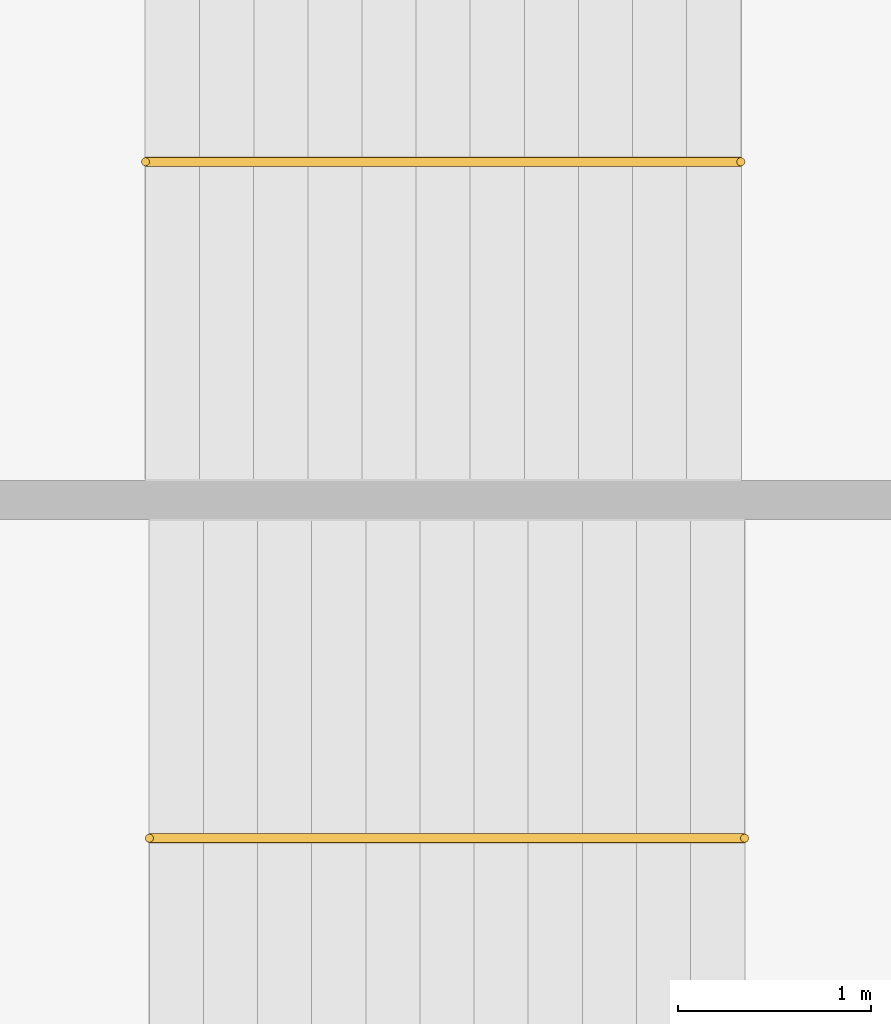
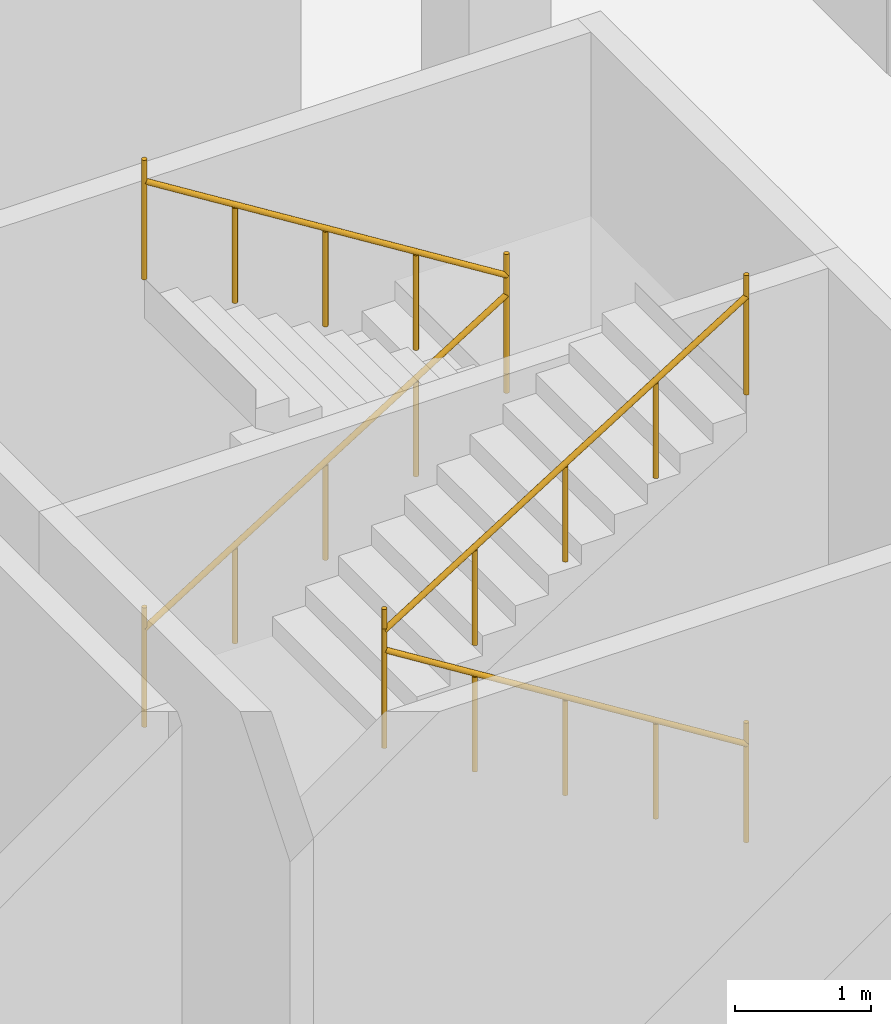
# One storey, part 5 of 5: 4 railings.
"""IFC4 building model written with IfcOpenShell, lengths in metres."""

import ifcopenshell
import ifcopenshell.guid

model = None  # the IFC model being written
_history = None  # IfcOwnerHistory: only IFC2X3 demands one
_inside = {}  # id of a spatial element -> (the spatial element, [elements in it])
_under = {}  # id of a project, library or spatial element -> (it, [spatial elements below it])
_declared = {}  # id of a project -> (the project, [libraries it declares])
_typed = {}  # id of a type object -> (the type object, [elements of that type])
_made_of = {}  # id of a material, layer set ... -> (it, [elements and type objects made of it])


def new_model(schema):
    """Start an empty IFC model of exactly this schema.

    Asked for "IFC4X3", IfcOpenShell would pick the latest addendum, in which some entities
    have other attributes; the version numbers below select the first issue.
    IFC2X3 requires an IfcOwnerHistory on every rooted entity: one is made here for all.
    """
    global model, _history
    if schema == "IFC4X3":
        model = ifcopenshell.file(schema_version=(4, 3, 0, 0))
    else:
        model = ifcopenshell.file(schema=schema)
    _inside.clear()
    _under.clear()
    _declared.clear()
    _typed.clear()
    _made_of.clear()
    _history = None
    if model.schema == "IFC2X3":
        org = make("IfcOrganization", Name="unknown")
        user = make(
            "IfcPersonAndOrganization",
            ThePerson=make("IfcPerson", FamilyName="unknown"),
            TheOrganization=org,
        )
        app = make(
            "IfcApplication",
            ApplicationDeveloper=org,
            Version="unknown",
            ApplicationFullName="unknown",
            ApplicationIdentifier="unknown",
        )
        _history = make(
            "IfcOwnerHistory",
            OwningUser=user,
            OwningApplication=app,
            ChangeAction="ADDED",
            CreationDate=0,
        )
    return model


def make(cls, **values):
    """One entity of the class cls with the attributes given. An attribute that is None is left unset."""
    return model.create_entity(
        cls, **{name: value for name, value in values.items() if value is not None}
    )


def rooted(cls, **values):
    """An entity with a GlobalId (a new one), such as an element, a storey or a relation."""
    return make(cls, GlobalId=ifcopenshell.guid.new(), OwnerHistory=_history, **values)


def si_unit(unit_type, name, prefix=None):
    """IfcSIUnit, for example si_unit("LENGTHUNIT", "METRE", prefix="MILLI")."""
    return make("IfcSIUnit", UnitType=unit_type, Prefix=prefix, Name=name)


def assignment(units):
    """IfcUnitAssignment: the units of a project."""
    return None if units is None else make("IfcUnitAssignment", Units=units)


def point(xyz):
    """IfcCartesianPoint."""
    return None if xyz is None else make("IfcCartesianPoint", Coordinates=xyz)


def direction(xyz):
    """IfcDirection."""
    return None if xyz is None else make("IfcDirection", DirectionRatios=xyz)


def frame(location, z_axis=None, x_axis=None):
    """IfcAxis2Placement3D, a coordinate frame: its origin and axes. An axis left out is left unset."""
    return make(
        "IfcAxis2Placement3D",
        Location=point(location),
        Axis=direction(z_axis),
        RefDirection=direction(x_axis),
    )


def frame_2d(location, x_axis=None):
    """IfcAxis2Placement2D, a coordinate frame in the plane: its origin and x axis."""
    return make(
        "IfcAxis2Placement2D", Location=point(location), RefDirection=direction(x_axis)
    )


def origin():
    """The frame at (0, 0, 0) with its axes left unset."""
    return frame((0.0, 0.0, 0.0))


def origin_2d():
    """The frame at (0, 0) in the plane with its x axis left unset."""
    return frame_2d((0.0, 0.0))


def place(relative_to, where):
    """IfcLocalPlacement: puts the frame where relative to a parent placement (None: the world)."""
    return make(
        "IfcLocalPlacement", PlacementRelTo=relative_to, RelativePlacement=where
    )


def context(
    kind, dimensions, precision=None, world=None, true_north=None, identifier=None
):
    """IfcGeometricRepresentationContext, for example the 3D "Model" context."""
    return make(
        "IfcGeometricRepresentationContext",
        ContextIdentifier=identifier,
        ContextType=kind,
        CoordinateSpaceDimension=dimensions,
        Precision=precision,
        WorldCoordinateSystem=world,
        TrueNorth=true_north,
    )


def subcontext(parent, identifier, kind, view, scale=None):
    """IfcGeometricRepresentationSubContext, for example "Body" below "Model"."""
    return make(
        "IfcGeometricRepresentationSubContext",
        ContextIdentifier=identifier,
        ContextType=kind,
        ParentContext=parent,
        TargetScale=scale,
        TargetView=view,
    )


def project(units=None, contexts=None):
    """IfcProject with its units and contexts."""
    return rooted(
        "IfcProject",
        Name="project",
        RepresentationContexts=contexts,
        UnitsInContext=assignment(units),
    )


def spatial(cls, under=None, at=None, **own):
    """A site, building, storey or space (cls), placed at a placement, below another one or the project."""
    s = rooted(cls, ObjectPlacement=at, **own)
    if under is not None:
        _under.setdefault(under.id(), (under, []))[1].append(s)
    return s


def profile(cls, at=None, kind="AREA", **sizes):
    """A parametric profile (cls). Its sizes go by their IFC names, for example OverallWidth=200.0."""
    return make(cls, ProfileType=kind, Position=at, **sizes)


def circle(**sizes):
    """IfcCircleProfileDef."""
    return profile("IfcCircleProfileDef", **sizes)


def extrude(swept, where, along, depth):
    """IfcExtrudedAreaSolid: the profile swept, set in the frame where, extruded along a direction by depth."""
    return make(
        "IfcExtrudedAreaSolid",
        SweptArea=swept,
        Position=where,
        ExtrudedDirection=direction(along),
        Depth=depth,
    )


def shape(context_of_items, identifier, shape_type, items):
    """IfcShapeRepresentation: the items that make up one representation, for example the "Body"."""
    return make(
        "IfcShapeRepresentation",
        ContextOfItems=context_of_items,
        RepresentationIdentifier=identifier,
        RepresentationType=shape_type,
        Items=items,
    )


def material(Name=None, Category=None):
    """IfcMaterial."""
    return make("IfcMaterial", Name=Name, Category=Category)


def made_of(thing, what):
    """Note that an element or type object is made of a material, layer set ...; save() writes the relation."""
    if what is not None:
        _made_of.setdefault(what.id(), (what, []))[1].append(thing)
    return thing


def type_object(cls, material=None, **own):
    """A type object (cls), such as IfcWallType, which elements share."""
    return made_of(rooted(cls, **own), material)


def element(
    cls,
    number,
    at=None,
    inside=None,
    cuts=None,
    type_object=None,
    material=None,
    context=None,
    identifier="Body",
    shape_type=None,
    held_by="IfcProductDefinitionShape",
    body=None,
    shapes=None,
    **own,
):
    """One element of the class cls, such as IfcWall. Its Tag is "e" and its number.

    at: its placement. inside: the storey or other place that contains it. cuts: it is an
    opening in that element (IfcRelVoidsElement). A single representation is given by context,
    identifier, shape_type and body (its items); several are given by shapes. held_by: the class
    of the entity that holds the representations. save() writes the other relations.
    """
    e = rooted(cls, Tag="e%d" % number, ObjectPlacement=at, **own)
    if body is not None:
        shapes = [shape(context, identifier, shape_type, body)]
    if shapes is not None:
        e.Representation = make(held_by, Representations=shapes)
    if inside is not None:
        _inside.setdefault(inside.id(), (inside, []))[1].append(e)
    if cuts is not None:
        rooted(
            "IfcRelVoidsElement", RelatingBuildingElement=cuts, RelatedOpeningElement=e
        )
    if type_object is not None:
        _typed.setdefault(type_object.id(), (type_object, []))[1].append(e)
    return made_of(e, material)


def aggregate(whole, parts):
    """IfcRelAggregates: a whole, such as a stair, and the parts it consists of."""
    return rooted("IfcRelAggregates", RelatingObject=whole, RelatedObjects=parts)


def save(model, path):
    """Write the relations noted so far, then the file.

    IfcRelAggregates (storeys below a building ...), IfcRelContainedInSpatialStructure (elements
    in a storey), IfcRelDefinesByType, IfcRelAssociatesMaterial and IfcRelDeclares: one each for
    every whole, place, type object, material and project.
    """
    for whole, parts in _under.values():
        aggregate(whole, parts)
    for where, things in _inside.values():
        rooted(
            "IfcRelContainedInSpatialStructure",
            RelatedElements=things,
            RelatingStructure=where,
        )
    for kind, things in _typed.values():
        rooted("IfcRelDefinesByType", RelatedObjects=things, RelatingType=kind)
    for what, things in _made_of.values():
        rooted("IfcRelAssociatesMaterial", RelatedObjects=things, RelatingMaterial=what)
    for by, libraries in _declared.values():
        rooted("IfcRelDeclares", RelatingContext=by, RelatedDefinitions=libraries)
    model.write(path)


model = new_model("IFC4")

# Units and contexts
model_context = context("Model", 3, precision=1e-05, world=origin(), true_north=direction((0.0, 1.0)))
body_context = subcontext(model_context, "Body", "Model", "MODEL_VIEW")
ifc_project = project(units=[si_unit("LENGTHUNIT", "METRE"), si_unit("AREAUNIT", "SQUARE_METRE"), si_unit("VOLUMEUNIT", "CUBIC_METRE"), si_unit("PLANEANGLEUNIT", "RADIAN"), si_unit("MASSUNIT", "GRAM", prefix="KILO")], contexts=[model_context])

# Site, building, storey
site_placement = place(None, origin())
site = spatial("IfcSite", under=ifc_project, at=site_placement, CompositionType="ELEMENT")
building_placement = place(site_placement, origin())
building = spatial("IfcBuilding", under=site, at=building_placement, Name="Qaws Garden Tower", CompositionType="ELEMENT")
storey_placement = place(building_placement, frame((0.0, 0.0, 369.60009765625)))
storey = spatial("IfcBuildingStorey", under=building, at=storey_placement, Name="C2", CompositionType="ELEMENT", Elevation=369.60009765625)

# Railings
ifc_material = material(Name="Steel S355", Category="steel")
railing_type = type_object("IfcRailingType", Name="Stair handrail 900", PredefinedType="HANDRAIL", material=ifc_material)
railing_1_placement = place(storey_placement, frame((17.449951171875, 31.75, 0.1748046875)))
element("IfcRailing", 1, at=railing_1_placement, inside=storey, type_object=railing_type, Name="Stair 1 handrail", PredefinedType="HANDRAIL", context=body_context, shape_type="SweptSolid", body=[
    extrude(circle(Radius=0.02392578125, at=origin_2d()), frame((0.0, 0.0, 0.8759765625), z_axis=(-0.847979421464, 0.0, 0.530029150871), x_axis=(0.0, -1.0, 0.0)), (0.0, 0.0, 1.0), 3.632080078125),
    extrude(circle(Radius=0.02099609375, at=origin_2d()), origin(), (0.0, 0.0, 1.0), 1.074951171875),
    extrude(circle(Radius=0.02099609375, at=origin_2d()), frame((-0.77001953125, 0.0, 0.481201171875)), (0.0, 0.0, 1.0), 0.851806640625),
    extrude(circle(Radius=0.02099609375, at=origin_2d()), frame((-1.5400390625, 0.0, 0.96240234375)), (0.0, 0.0, 1.0), 0.851806640625),
    extrude(circle(Radius=0.02099609375, at=origin_2d()), frame((-2.309814453125, 0.0, 1.44384765625)), (0.0, 0.0, 1.0), 0.851806640625),
    extrude(circle(Radius=0.02099609375, at=origin_2d()), frame((-3.079833984375, 0.0, 1.925048828125)), (0.0, 0.0, 1.0), 1.074951171875),
])
for number, where, name in (
    (2, (14.3701171875, 31.75, 2.27490234375), "Stair 1 handrail"),
    (3, (14.35009765625, 35.25, 0.1748046875), "Stair 2 handrail"),
):
    element("IfcRailing", number, at=place(storey_placement, frame(where)), inside=storey, type_object=railing_type, Name=name, PredefinedType="HANDRAIL", context=body_context, shape_type="SweptSolid", body=[
        extrude(circle(Radius=0.02392578125, at=origin_2d()), frame((0.0, 0.0, 0.8759765625), z_axis=(0.847979421464, 0.0, 0.530029150871), x_axis=(0.0, 1.0, 0.0)), (0.0, 0.0, 1.0), 3.632080078125),
        extrude(circle(Radius=0.02099609375, at=origin_2d()), origin(), (0.0, 0.0, 1.0), 1.074951171875),
        extrude(circle(Radius=0.02099609375, at=origin_2d()), frame((0.77001953125, 0.0, 0.481201171875)), (0.0, 0.0, 1.0), 0.851806640625),
        extrude(circle(Radius=0.02099609375, at=origin_2d()), frame((1.5400390625, 0.0, 0.96240234375)), (0.0, 0.0, 1.0), 0.851806640625),
        extrude(circle(Radius=0.02099609375, at=origin_2d()), frame((2.309814453125, 0.0, 1.44384765625)), (0.0, 0.0, 1.0), 0.851806640625),
        extrude(circle(Radius=0.02099609375, at=origin_2d()), frame((3.079833984375, 0.0, 1.925048828125)), (0.0, 0.0, 1.0), 1.074951171875),
    ])
railing_2_placement = place(storey_placement, frame((17.429931640625, 35.25, 2.27490234375)))
element("IfcRailing", 4, at=railing_2_placement, inside=storey, type_object=railing_type, Name="Stair 2 handrail", PredefinedType="HANDRAIL", context=body_context, shape_type="SweptSolid", body=[
    extrude(circle(Radius=0.02392578125, at=origin_2d()), frame((0.0, 0.0, 0.8759765625), z_axis=(-0.847979421464, 0.0, 0.530029150871), x_axis=(0.0, -1.0, 0.0)), (0.0, 0.0, 1.0), 3.632080078125),
    extrude(circle(Radius=0.02099609375, at=origin_2d()), origin(), (0.0, 0.0, 1.0), 1.074951171875),
    extrude(circle(Radius=0.02099609375, at=origin_2d()), frame((-0.77001953125, 0.0, 0.481201171875)), (0.0, 0.0, 1.0), 0.851806640625),
    extrude(circle(Radius=0.02099609375, at=origin_2d()), frame((-1.5400390625, 0.0, 0.96240234375)), (0.0, 0.0, 1.0), 0.851806640625),
    extrude(circle(Radius=0.02099609375, at=origin_2d()), frame((-2.309814453125, 0.0, 1.44384765625)), (0.0, 0.0, 1.0), 0.851806640625),
    extrude(circle(Radius=0.02099609375, at=origin_2d()), frame((-3.079833984375, 0.0, 1.925048828125)), (0.0, 0.0, 1.0), 1.074951171875),
])

save(model, "model.ifc")
